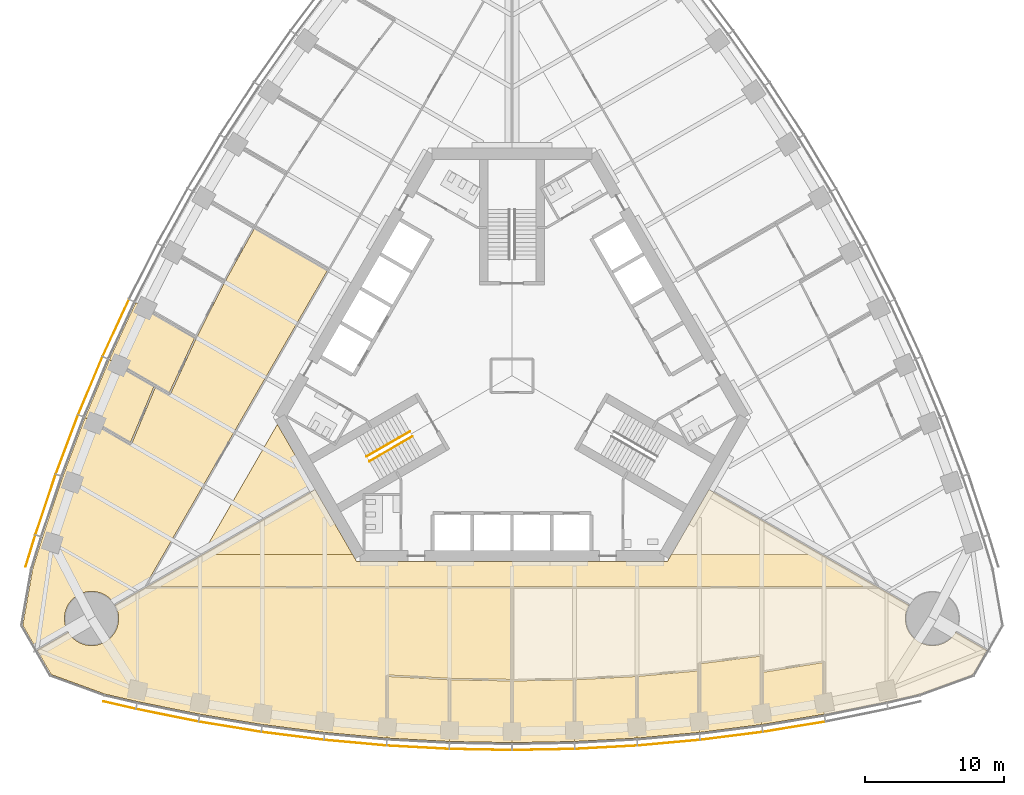
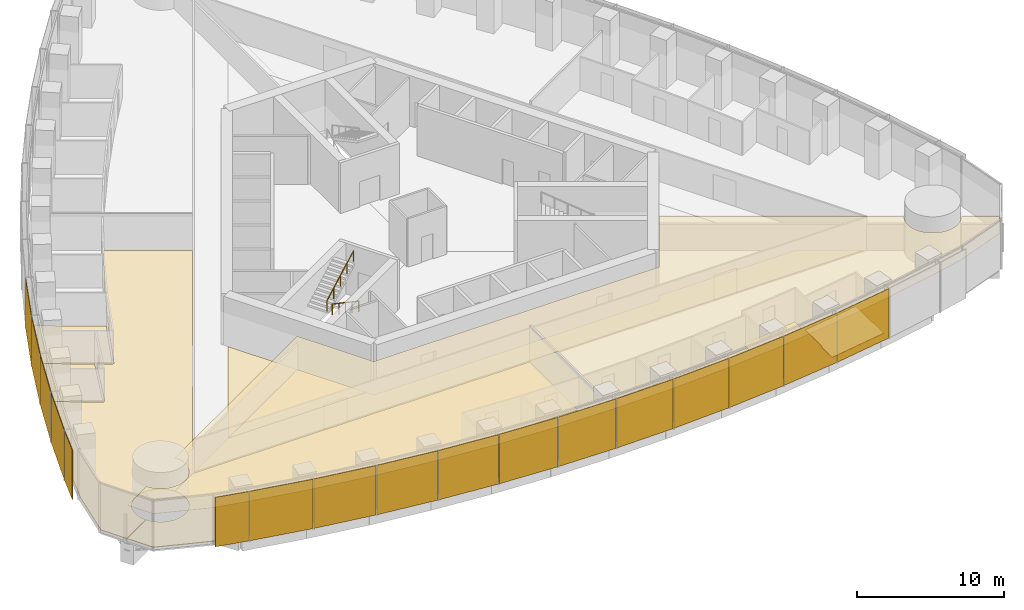
# One storey, part 15 of 19: 17 shading devices, 15 coverings, 2 railings.
"""IFC4 building model written with IfcOpenShell, lengths in metres."""

from ifc_helpers import new_model, si_unit, direction, frame, origin, origin_2d, place, context, subcontext, project, spatial, polyline, rectangle, circle, outline, extrude, material, layer, layer_set, type_object, element, save


model = new_model("IFC4")

# Units and contexts
model_context = context("Model", 3, precision=1e-05, world=origin(), true_north=direction((0.0, 1.0)))
body_context = subcontext(model_context, "Body", "Model", "MODEL_VIEW")
ifc_project = project(units=[si_unit("LENGTHUNIT", "METRE"), si_unit("AREAUNIT", "SQUARE_METRE"), si_unit("VOLUMEUNIT", "CUBIC_METRE"), si_unit("PLANEANGLEUNIT", "RADIAN"), si_unit("MASSUNIT", "GRAM", prefix="KILO")], contexts=[model_context])

# Site, building, storey
site_placement = place(None, origin())
site = spatial("IfcSite", under=ifc_project, at=site_placement, CompositionType="ELEMENT")
building_placement = place(site_placement, origin())
building = spatial("IfcBuilding", under=site, at=building_placement, Name="Trefoil Bronze Tower", CompositionType="ELEMENT")
storey_placement = place(building_placement, frame((0.0, 0.0, 132.5)))
storey = spatial("IfcBuildingStorey", under=building, at=storey_placement, Name="L30", CompositionType="ELEMENT", Elevation=132.5)

# Shading devices
ifc_material_1 = material(Name="Perforated bronze sheet", Category="bronze")
ifc_layer_1 = layer(ifc_material_1, 0.0400390625)
ifc_layer_set_1 = layer_set([ifc_layer_1], Name="Bronze solar screen panel")
shading_device_type = type_object("IfcShadingDeviceType", Name="Bronze solar screen panel", PredefinedType="SHUTTER", material=ifc_layer_set_1)
shading_device_1_placement = place(storey_placement, frame((-28.30078125, -23.748779296875, 0.050048828125), z_axis=(0.0, 0.0, 1.0), x_axis=(0.97420444715, -0.225667222151, 0.0)))
element("IfcShadingDevice", 1, at=shading_device_1_placement, inside=storey, type_object=shading_device_type, Name="Solar screen CW-A L30 F1 bay 1", PredefinedType="SHUTTER", context=body_context, shape_type="SweptSolid", body=[
    extrude(rectangle(XDim=2.39013671875, YDim=0.0400390625, at=origin_2d()), origin(), (0.0, 0.0, 1.0), 4.10009765625),
])
shading_device_2_placement = place(storey_placement, frame((-24.85693359375, -24.480224609375, 0.050048828125), z_axis=(0.0, 0.0, 1.0), x_axis=(0.980155155547, -0.198231861853, 0.0)))
element("IfcShadingDevice", 2, at=shading_device_2_placement, inside=storey, type_object=shading_device_type, Name="Solar screen CW-A L30 F1 bay 2", PredefinedType="SHUTTER", context=body_context, shape_type="SweptSolid", body=[
    extrude(rectangle(XDim=4.56103515625, YDim=0.0400390625, at=origin_2d()), origin(), (0.0, 0.0, 1.0), 4.10009765625),
])
shading_device_3_placement = place(storey_placement, frame((-20.337646484375, -25.30859375, 0.050048828125), z_axis=(0.0, 0.0, 1.0), x_axis=(0.986759655731, -0.162189339418, 0.0)))
element("IfcShadingDevice", 3, at=shading_device_3_placement, inside=storey, type_object=shading_device_type, Name="Solar screen CW-A L30 F1 bay 3", PredefinedType="SHUTTER", context=body_context, shape_type="SweptSolid", body=[
    extrude(rectangle(XDim=4.5302734375, YDim=0.0400390625, at=origin_2d()), origin(), (0.0, 0.0, 1.0), 4.10009765625),
])
shading_device_4_placement = place(storey_placement, frame((-15.818115234375, -25.96728515625, 0.050048828125), z_axis=(0.0, 0.0, 1.0), x_axis=(0.992011554286, -0.126147041833, 0.0)))
element("IfcShadingDevice", 4, at=shading_device_4_placement, inside=storey, type_object=shading_device_type, Name="Solar screen CW-A L30 F1 bay 4", PredefinedType="SHUTTER", context=body_context, shape_type="SweptSolid", body=[
    extrude(rectangle(XDim=4.50634765625, YDim=0.0400390625, at=origin_2d()), origin(), (0.0, 0.0, 1.0), 4.10009765625),
])
shading_device_5_placement = place(storey_placement, frame((-11.298583984375, -26.459228515625, 0.050048828125), z_axis=(0.0, 0.0, 1.0), x_axis=(0.995932279146, -0.090104913044, 0.0)))
element("IfcShadingDevice", 5, at=shading_device_5_placement, inside=storey, type_object=shading_device_type, Name="Solar screen CW-A L30 F1 bay 5", PredefinedType="SHUTTER", context=body_context, shape_type="SweptSolid", body=[
    extrude(rectangle(XDim=4.48828125, YDim=0.0400390625, at=origin_2d()), origin(), (0.0, 0.0, 1.0), 4.10009765625),
])
shading_device_6_placement = place(storey_placement, frame((-6.779296875, -26.785888671875, 0.050048828125), z_axis=(0.0, 0.0, 1.0), x_axis=(0.998537531923, -0.054062901701, 0.0)))
element("IfcShadingDevice", 6, at=shading_device_6_placement, inside=storey, type_object=shading_device_type, Name="Solar screen CW-A L30 F1 bay 6", PredefinedType="SHUTTER", context=body_context, shape_type="SweptSolid", body=[
    extrude(rectangle(XDim=4.4765625, YDim=0.0400390625, at=origin_2d()), origin(), (0.0, 0.0, 1.0), 4.10009765625),
])
for number, where, z_axis, x_axis, name in (
    (7, (-2.259765625, -26.948974609375, 0.050048828125), (0.0, 0.0, 1.0), (0.999837609322, -0.018020959612, 0.0), "Solar screen CW-A L30 F1 bay 7"),
    (8, (2.259765625, -26.948974609375, 0.050048828125), (0.0, 0.0, 1.0), (0.999837609322, 0.018020959612, 0.0), "Solar screen CW-A L30 F1 bay 8"),
):
    element("IfcShadingDevice", number, at=place(storey_placement, frame(where, z_axis=z_axis, x_axis=x_axis)), inside=storey, type_object=shading_device_type, Name=name, PredefinedType="SHUTTER", context=body_context, shape_type="SweptSolid", body=[
        extrude(rectangle(XDim=4.470703125, YDim=0.0400390625, at=origin_2d()), origin(), (0.0, 0.0, 1.0), 4.10009765625),
    ])
shading_device_7_placement = place(storey_placement, frame((6.779296875, -26.785888671875, 0.050048828125), z_axis=(0.0, 0.0, 1.0), x_axis=(0.998537531923, 0.054062901701, 0.0)))
element("IfcShadingDevice", 9, at=shading_device_7_placement, inside=storey, type_object=shading_device_type, Name="Solar screen CW-A L30 F1 bay 9", PredefinedType="SHUTTER", context=body_context, shape_type="SweptSolid", body=[
    extrude(rectangle(XDim=4.4765625, YDim=0.0400390625, at=origin_2d()), origin(), (0.0, 0.0, 1.0), 4.10009765625),
])
shading_device_8_placement = place(storey_placement, frame((11.298583984375, -26.459228515625, 0.050048828125), z_axis=(0.0, 0.0, 1.0), x_axis=(0.995932279146, 0.090104913044, 0.0)))
element("IfcShadingDevice", 10, at=shading_device_8_placement, inside=storey, type_object=shading_device_type, Name="Solar screen CW-A L30 F1 bay 10", PredefinedType="SHUTTER", context=body_context, shape_type="SweptSolid", body=[
    extrude(rectangle(XDim=4.48828125, YDim=0.0400390625, at=origin_2d()), origin(), (0.0, 0.0, 1.0), 4.10009765625),
])
shading_device_9_placement = place(storey_placement, frame((15.818115234375, -25.96728515625, 0.050048828125), z_axis=(0.0, 0.0, 1.0), x_axis=(0.992011554286, 0.126147041833, 0.0)))
element("IfcShadingDevice", 11, at=shading_device_9_placement, inside=storey, type_object=shading_device_type, Name="Solar screen CW-A L30 F1 bay 11", PredefinedType="SHUTTER", context=body_context, shape_type="SweptSolid", body=[
    extrude(rectangle(XDim=4.50634765625, YDim=0.0400390625, at=origin_2d()), origin(), (0.0, 0.0, 1.0), 4.10009765625),
])
shading_device_10_placement = place(storey_placement, frame((20.337646484375, -25.30859375, 0.050048828125), z_axis=(0.0, 0.0, 1.0), x_axis=(0.986759655731, 0.162189339418, 0.0)))
element("IfcShadingDevice", 12, at=shading_device_10_placement, inside=storey, type_object=shading_device_type, Name="Solar screen CW-A L30 F1 bay 12", PredefinedType="SHUTTER", context=body_context, shape_type="SweptSolid", body=[
    extrude(rectangle(XDim=4.5302734375, YDim=0.0400390625, at=origin_2d()), origin(), (0.0, 0.0, 1.0), 4.10009765625),
])
shading_device_11_placement = place(storey_placement, frame((-28.563720703125, 3.444580078125, 0.050048828125), z_axis=(0.0, 0.0, 1.0), x_axis=(-0.419932995871, -0.907555110712, 0.0)))
element("IfcShadingDevice", 13, at=shading_device_11_placement, inside=storey, type_object=shading_device_type, Name="Solar screen CW-A L30 F3 bay 10", PredefinedType="SHUTTER", context=body_context, shape_type="SweptSolid", body=[
    extrude(rectangle(XDim=4.48828125, YDim=0.0400390625, at=origin_2d()), origin(), (0.0, 0.0, 1.0), 4.10009765625),
])
shading_device_12_placement = place(storey_placement, frame((-30.3974609375, -0.715087890625, 0.050048828125), z_axis=(0.0, 0.0, 1.0), x_axis=(-0.386759234303, -0.922180727776, 0.0)))
element("IfcShadingDevice", 14, at=shading_device_12_placement, inside=storey, type_object=shading_device_type, Name="Solar screen CW-A L30 F3 bay 11", PredefinedType="SHUTTER", context=body_context, shape_type="SweptSolid", body=[
    extrude(rectangle(XDim=4.50634765625, YDim=0.0400390625, at=origin_2d()), origin(), (0.0, 0.0, 1.0), 4.10009765625),
])
shading_device_13_placement = place(storey_placement, frame((-32.086669921875, -4.95849609375, 0.050048828125), z_axis=(0.0, 0.0, 1.0), x_axis=(-0.352919739707, -0.935653599002, 0.0)))
element("IfcShadingDevice", 15, at=shading_device_13_placement, inside=storey, type_object=shading_device_type, Name="Solar screen CW-A L30 F3 bay 12", PredefinedType="SHUTTER", context=body_context, shape_type="SweptSolid", body=[
    extrude(rectangle(XDim=4.5302734375, YDim=0.0400390625, at=origin_2d()), origin(), (0.0, 0.0, 1.0), 4.10009765625),
])
shading_device_14_placement = place(storey_placement, frame((-33.62890625, -9.286865234375, 0.050048828125), z_axis=(0.0, 0.0, 1.0), x_axis=(-0.318403749569, -0.947955195281, 0.0)))
element("IfcShadingDevice", 16, at=shading_device_14_placement, inside=storey, type_object=shading_device_type, Name="Solar screen CW-A L30 F3 bay 13", PredefinedType="SHUTTER", context=body_context, shape_type="SweptSolid", body=[
    extrude(rectangle(XDim=4.56103515625, YDim=0.0400390625, at=origin_2d()), origin(), (0.0, 0.0, 1.0), 4.10009765625),
])
shading_device_15_placement = place(storey_placement, frame((-34.717529296875, -12.634765625, 0.050048828125), z_axis=(0.0, 0.0, 1.0), x_axis=(-0.291668676391, -0.956519410787, 0.0)))
element("IfcShadingDevice", 17, at=shading_device_15_placement, inside=storey, type_object=shading_device_type, Name="Solar screen CW-A L30 F3 bay 14", PredefinedType="SHUTTER", context=body_context, shape_type="SweptSolid", body=[
    extrude(rectangle(XDim=2.39013671875, YDim=0.0400390625, at=origin_2d()), origin(), (0.0, 0.0, 1.0), 4.10009765625),
])

# Railings
ifc_material_2 = material(Name="Steel handrail", Category="steel")
railing_type = type_object("IfcRailingType", Name="Handrail 900", PredefinedType="HANDRAIL", material=ifc_material_2)
railing_1_placement = place(storey_placement, frame((-7.166015625, -4.3681640625, 0.16162109375)))
element("IfcRailing", 18, at=railing_1_placement, inside=storey, type_object=railing_type, Name="Handrail ST3 flight 1 L30", PredefinedType="HANDRAIL", context=body_context, shape_type="SweptSolid", body=[
    extrude(circle(Radius=0.02392578125, at=origin_2d()), frame((0.0, 0.0, 0.8759765625), z_axis=(-0.76250339821, -0.440245697338, 0.474101564745), x_axis=(0.500012057535, -0.866018442252, 0.0)), (0.0, 0.0, 1.0), 4.088623046875),
    extrude(circle(Radius=0.02099609375, at=origin_2d()), origin(), (0.0, 0.0, 1.0), 0.851806640625),
    extrude(circle(Radius=0.02099609375, at=origin_2d()), frame((-0.779296875, -0.449951171875, 0.484619140625)), (0.0, 0.0, 1.0), 0.851806640625),
    extrude(circle(Radius=0.02099609375, at=origin_2d()), frame((-1.558837890625, -0.89990234375, 0.96923828125)), (0.0, 0.0, 1.0), 0.851806640625),
    extrude(circle(Radius=0.02099609375, at=origin_2d()), frame((-2.33837890625, -1.35009765625, 1.453857421875)), (0.0, 0.0, 1.0), 0.851806640625),
    extrude(circle(Radius=0.02099609375, at=origin_2d()), frame((-3.11767578125, -1.800048828125, 1.9384765625)), (0.0, 0.0, 1.0), 0.851806640625),
])
railing_2_placement = place(storey_placement, frame((-10.483642578125, -5.82177734375, 2.261474609375)))
element("IfcRailing", 19, at=railing_2_placement, inside=storey, type_object=railing_type, Name="Handrail ST3 flight 2 L30", PredefinedType="HANDRAIL", context=body_context, shape_type="SweptSolid", body=[
    extrude(circle(Radius=0.02392578125, at=origin_2d()), frame((0.0, 0.0, 0.8759765625), z_axis=(0.76250339821, 0.440245697338, 0.474101564745), x_axis=(-0.500012057535, 0.866018442252, 0.0)), (0.0, 0.0, 1.0), 4.088623046875),
    extrude(circle(Radius=0.02099609375, at=origin_2d()), origin(), (0.0, 0.0, 1.0), 0.851806640625),
    extrude(circle(Radius=0.02099609375, at=origin_2d()), frame((0.779296875, 0.449951171875, 0.484619140625)), (0.0, 0.0, 1.0), 0.851806640625),
    extrude(circle(Radius=0.02099609375, at=origin_2d()), frame((1.558837890625, 0.89990234375, 0.96923828125)), (0.0, 0.0, 1.0), 0.851806640625),
    extrude(circle(Radius=0.02099609375, at=origin_2d()), frame((2.33837890625, 1.35009765625, 1.453857421875)), (0.0, 0.0, 1.0), 0.851806640625),
    extrude(circle(Radius=0.02099609375, at=origin_2d()), frame((3.11767578125, 1.800048828125, 1.9384765625)), (0.0, 0.0, 1.0), 0.851806640625),
])

# Coverings
ifc_material_3 = material(Name="Acoustic ceiling panels", Category="mineral fibre")
ifc_layer_2 = layer(ifc_material_3, 0.02001953125)
ifc_layer_set_2 = layer_set([ifc_layer_2], Name="Office ceiling 20")
covering_type_1 = type_object("IfcCoveringType", Name="Office ceiling 20", PredefinedType="CEILING", material=ifc_layer_set_2)
covering_1_placement = place(storey_placement, frame((0.0, 0.0, 2.89990234375)))
element("IfcCovering", 20, at=covering_1_placement, inside=storey, type_object=covering_type_1, Name="Ceiling L30 Open-plan office F1", PredefinedType="CEILING", context=body_context, shape_type="SweptSolid", body=[
    extrude(outline(polyline([(-31.932373046875, -18.58349609375), (-31.877197265625, -18.66162109375), (-31.818359375, -18.737060546875), (-31.755615234375, -18.8095703125), (-31.689697265625, -18.87890625), (-31.620361328125, -18.94482421875), (-31.548095703125, -19.00732421875), (-31.472412109375, -19.06640625), (-31.394287109375, -19.121337890625), (-31.3134765625, -19.172607421875), (-31.22998046875, -19.2197265625), (-31.14453125, -19.2626953125), (-31.05712890625, -19.301513671875), (-30.9677734375, -19.3359375), (-30.876953125, -19.365966796875), (-30.78466796875, -19.3916015625), (-30.69140625, -19.41259765625), (-30.596923828125, -19.428955078125), (-30.501953125, -19.440673828125), (-30.406494140625, -19.44775390625), (-30.310791015625, -19.449951171875), (-30.215087890625, -19.44775390625), (-30.119873046875, -19.440673828125), (-30.02490234375, -19.428955078125), (-29.930419921875, -19.41259765625), (-29.837158203125, -19.3916015625), (-29.744873046875, -19.365966796875), (-29.654052734375, -19.3359375), (-29.564697265625, -19.301513671875), (-29.477294921875, -19.2626953125), (-29.3916015625, -19.2197265625), (-29.308349609375, -19.172607421875), (-29.2275390625, -19.121337890625), (-29.1494140625, -19.06640625), (-29.07373046875, -19.00732421875), (-29.001220703125, -18.94482421875), (-28.931884765625, -18.87890625), (-28.865966796875, -18.8095703125), (-28.803466796875, -18.737060546875), (-28.74462890625, -18.66162109375), (-28.689453125, -18.58349609375), (-28.63818359375, -18.50244140625), (-28.591064453125, -18.419189453125), (-28.548095703125, -18.333740234375), (-28.50927734375, -18.24609375), (-28.474853515625, -18.156982421875), (-28.44482421875, -18.066162109375), (-28.419189453125, -17.973876953125), (-28.3984375, -17.88037109375), (-28.382080078125, -17.7861328125), (-28.370361328125, -17.691162109375), (-28.36328125, -17.595703125), (-28.36083984375, -17.5), (-28.36328125, -17.404296875), (-28.370361328125, -17.308837890625), (-28.382080078125, -17.2138671875), (-28.3984375, -17.11962890625), (-28.419189453125, -17.026123046875), (-28.44482421875, -16.933837890625), (-28.474853515625, -16.843017578125), (-28.50927734375, -16.75390625), (-28.548095703125, -16.666259765625), (-28.591064453125, -16.580810546875), (-28.616455078125, -16.535888671875), (-14.19970703125, -8.205322265625), (-11.20068359375, -13.39990234375), (11.20068359375, -13.39990234375), (14.19970703125, -8.205322265625), (28.616455078125, -16.535888671875), (28.591064453125, -16.580810546875), (28.548095703125, -16.666259765625), (28.50927734375, -16.75390625), (28.474853515625, -16.843017578125), (28.44482421875, -16.933837890625), (28.419189453125, -17.026123046875), (28.3984375, -17.11962890625), (28.382080078125, -17.2138671875), (28.370361328125, -17.308837890625), (28.36328125, -17.404296875), (28.36083984375, -17.5), (28.36328125, -17.595703125), (28.370361328125, -17.691162109375), (28.382080078125, -17.7861328125), (28.3984375, -17.88037109375), (28.419189453125, -17.973876953125), (28.44482421875, -18.066162109375), (28.474853515625, -18.156982421875), (28.50927734375, -18.24609375), (28.548095703125, -18.333740234375), (28.591064453125, -18.419189453125), (28.63818359375, -18.50244140625), (28.689453125, -18.58349609375), (28.74462890625, -18.66162109375), (28.803466796875, -18.737060546875), (28.865966796875, -18.8095703125), (28.931884765625, -18.87890625), (29.001220703125, -18.94482421875), (29.07373046875, -19.00732421875), (29.1494140625, -19.06640625), (29.2275390625, -19.121337890625), (29.308349609375, -19.172607421875), (29.3916015625, -19.2197265625), (29.477294921875, -19.2626953125), (29.564697265625, -19.301513671875), (29.654052734375, -19.3359375), (29.744873046875, -19.365966796875), (29.837158203125, -19.3916015625), (29.930419921875, -19.41259765625), (30.02490234375, -19.428955078125), (30.119873046875, -19.440673828125), (30.215087890625, -19.44775390625), (30.310791015625, -19.449951171875), (30.406494140625, -19.44775390625), (30.501953125, -19.440673828125), (30.596923828125, -19.428955078125), (30.69140625, -19.41259765625), (30.78466796875, -19.3916015625), (30.876953125, -19.365966796875), (30.9677734375, -19.3359375), (31.05712890625, -19.301513671875), (31.14453125, -19.2626953125), (31.22998046875, -19.2197265625), (31.3134765625, -19.172607421875), (31.394287109375, -19.121337890625), (31.472412109375, -19.06640625), (31.548095703125, -19.00732421875), (31.620361328125, -18.94482421875), (31.689697265625, -18.87890625), (31.755615234375, -18.8095703125), (31.818359375, -18.737060546875), (31.877197265625, -18.66162109375), (31.932373046875, -18.58349609375), (31.992431640625, -18.48681640625), (34.233154296875, -19.781494140625), (33.21435546875, -21.5458984375), (29.357666015625, -22.94970703125), (27.0, -23.495849609375), (22.5, -24.406005859375), (18.0, -25.1455078125), (13.5, -25.7177734375), (9.0, -26.125), (4.5, -26.36865234375), (0.0, -26.44970703125), (-4.5, -26.36865234375), (-9.0, -26.125), (-13.5, -25.7177734375), (-18.0, -25.1455078125), (-22.5, -24.406005859375), (-27.0, -23.495849609375), (-29.357666015625, -22.94970703125), (-33.21435546875, -21.5458984375), (-34.233154296875, -19.781494140625), (-31.992431640625, -18.48681640625), (-31.932373046875, -18.58349609375)])), origin(), (0.0, 0.0, 1.0), 0.02001953125),
])
ifc_material_4 = material(Name="Raised access floor panels", Category="steel")
ifc_layer_3 = layer(ifc_material_4, 0.050048828125)
ifc_layer_set_3 = layer_set([ifc_layer_3], Name="Raised access floor 150")
covering_type_2 = type_object("IfcCoveringType", Name="Raised access floor 150", PredefinedType="FLOORING", material=ifc_layer_set_3)
covering_2_placement = place(storey_placement, frame((0.0, 0.0, 0.10009765625)))
element("IfcCovering", 21, at=covering_2_placement, inside=storey, type_object=covering_type_2, Name="Raised floor L30 Project room F1", PredefinedType="FLOORING", context=body_context, shape_type="SweptSolid", body=[
    extrude(outline(polyline([(-4.5, -26.36865234375), (-9.0, -26.125), (-9.0, -24.64111328125), (-8.93994140625, -24.64111328125), (-8.93994140625, -21.688232421875), (-4.56005859375, -21.92529296875), (-4.56005859375, -24.8876953125), (-4.5, -24.8876953125), (-4.5, -26.36865234375)])), origin(), (0.0, 0.0, 1.0), 0.0498046875),
])
covering_3_placement = place(storey_placement, frame((0.0, 0.0, 0.10009765625)))
element("IfcCovering", 22, at=covering_3_placement, inside=storey, type_object=covering_type_2, Name="Raised floor L30 Project room F1", PredefinedType="FLOORING", context=body_context, shape_type="SweptSolid", body=[
    extrude(outline(polyline([(0.0, -26.44970703125), (-4.5, -26.36865234375), (-4.5, -24.8876953125), (-4.43994140625, -24.8876953125), (-4.43994140625, -21.9296875), (-0.074951171875, -22.00830078125), (-0.074951171875, -24.9697265625), (0.0, -24.9697265625), (0.0, -26.44970703125)])), origin(), (0.0, 0.0, 1.0), 0.0498046875),
])
covering_4_placement = place(storey_placement, frame((0.0, 0.0, 0.10009765625)))
element("IfcCovering", 23, at=covering_4_placement, inside=storey, type_object=covering_type_2, Name="Raised floor L30 Project room F1", PredefinedType="FLOORING", context=body_context, shape_type="SweptSolid", body=[
    extrude(outline(polyline([(4.5, -26.36865234375), (0.0, -26.44970703125), (0.0, -24.9697265625), (0.074951171875, -24.9697265625), (0.074951171875, -22.00830078125), (4.43994140625, -21.9296875), (4.43994140625, -24.8876953125), (4.5, -24.8876953125), (4.5, -26.36865234375)])), origin(), (0.0, 0.0, 1.0), 0.0498046875),
])
covering_5_placement = place(storey_placement, frame((0.0, 0.0, 0.10009765625)))
element("IfcCovering", 24, at=covering_5_placement, inside=storey, type_object=covering_type_2, Name="Raised floor L30 Project room F1", PredefinedType="FLOORING", context=body_context, shape_type="SweptSolid", body=[
    extrude(outline(polyline([(9.0, -26.125), (4.5, -26.36865234375), (4.5, -24.8876953125), (4.56005859375, -24.8876953125), (4.56005859375, -21.92529296875), (8.93994140625, -21.688232421875), (8.93994140625, -24.64111328125), (9.0, -24.64111328125), (9.0, -26.125)])), origin(), (0.0, 0.0, 1.0), 0.0498046875),
])
covering_6_placement = place(storey_placement, frame((0.0, 0.0, 0.10009765625)))
element("IfcCovering", 25, at=covering_6_placement, inside=storey, type_object=covering_type_2, Name="Raised floor L30 Project room F1", PredefinedType="FLOORING", context=body_context, shape_type="SweptSolid", body=[
    extrude(outline(polyline([(13.5, -25.7177734375), (9.0, -26.125), (9.0, -24.64111328125), (9.06005859375, -24.64111328125), (9.06005859375, -21.6796875), (13.43994140625, -21.283447265625), (13.43994140625, -24.22900390625), (13.5, -24.22900390625), (13.5, -25.7177734375)])), origin(), (0.0, 0.0, 1.0), 0.0498046875),
])
covering_7_placement = place(storey_placement, frame((0.0, 0.0, 0.10009765625)))
element("IfcCovering", 26, at=covering_7_placement, inside=storey, type_object=covering_type_2, Name="Raised floor L30 Meeting room F1", PredefinedType="FLOORING", context=body_context, shape_type="SweptSolid", body=[
    extrude(outline(polyline([(18.0, -25.1455078125), (13.5, -25.7177734375), (13.5, -24.22900390625), (13.56005859375, -24.22900390625), (13.56005859375, -20.770751953125), (17.93994140625, -20.213623046875), (17.93994140625, -23.64990234375), (18.0, -23.64990234375), (18.0, -25.1455078125)])), origin(), (0.0, 0.0, 1.0), 0.0498046875),
])
covering_8_placement = place(storey_placement, frame((0.0, 0.0, 0.10009765625)))
element("IfcCovering", 27, at=covering_8_placement, inside=storey, type_object=covering_type_2, Name="Raised floor L30 Pantry F1", PredefinedType="FLOORING", context=body_context, shape_type="SweptSolid", body=[
    extrude(outline(polyline([(22.5, -24.406005859375), (18.0, -25.1455078125), (18.0, -23.64990234375), (18.06005859375, -23.64990234375), (18.06005859375, -21.396484375), (22.43994140625, -20.676513671875), (22.43994140625, -22.9013671875), (22.5, -22.9013671875), (22.5, -24.406005859375)])), origin(), (0.0, 0.0, 1.0), 0.0498046875),
])
covering_9_placement = place(storey_placement, frame((0.0, 0.0, 0.10009765625)))
element("IfcCovering", 28, at=covering_9_placement, inside=storey, type_object=covering_type_2, Name="Raised floor L30 Corridor F1", PredefinedType="FLOORING", context=body_context, shape_type="SweptSolid", body=[
    extrude(outline(polyline([(-26.304443359375, -15.199951171875), (-22.32421875, -12.89990234375), (-11.4892578125, -12.89990234375), (-11.20068359375, -13.39990234375), (11.20068359375, -13.39990234375), (11.4892578125, -12.89990234375), (22.32421875, -12.89990234375), (26.304443359375, -15.199951171875), (-26.304443359375, -15.199951171875)])), origin(), (0.0, 0.0, 1.0), 0.0498046875),
])
covering_10_placement = place(storey_placement, frame((0.0, 0.0, 0.10009765625)))
element("IfcCovering", 29, at=covering_10_placement, inside=storey, type_object=covering_type_2, Name="Raised floor L30 Open-plan office F1", PredefinedType="FLOORING", context=body_context, shape_type="SweptSolid", body=[
    extrude(outline(polyline([(-28.50927734375, -16.75390625), (-28.548095703125, -16.666259765625), (-28.591064453125, -16.580810546875), (-28.616455078125, -16.535888671875), (-26.398193359375, -15.254150390625), (-26.398193359375, -15.320068359375), (-0.074951171875, -15.320068359375), (-0.074951171875, -21.88818359375), (-4.497802734375, -21.80859375), (-8.996826171875, -21.56494140625), (-9.0, -21.625), (-9.06005859375, -21.625), (-9.06005859375, -24.64111328125), (-9.0, -24.64111328125), (-9.0, -26.125), (-13.5, -25.7177734375), (-18.0, -25.1455078125), (-22.5, -24.406005859375), (-27.0, -23.495849609375), (-29.357666015625, -22.94970703125), (-33.21435546875, -21.5458984375), (-34.233154296875, -19.781494140625), (-31.992431640625, -18.48681640625), (-31.932373046875, -18.58349609375), (-31.877197265625, -18.66162109375), (-31.818359375, -18.737060546875), (-31.755615234375, -18.8095703125), (-31.689697265625, -18.87890625), (-31.620361328125, -18.94482421875), (-31.548095703125, -19.00732421875), (-31.472412109375, -19.06640625), (-31.394287109375, -19.121337890625), (-31.3134765625, -19.172607421875), (-31.22998046875, -19.2197265625), (-31.14453125, -19.2626953125), (-31.05712890625, -19.301513671875), (-30.9677734375, -19.3359375), (-30.876953125, -19.365966796875), (-30.78466796875, -19.3916015625), (-30.69140625, -19.41259765625), (-30.596923828125, -19.428955078125), (-30.501953125, -19.440673828125), (-30.406494140625, -19.44775390625), (-30.310791015625, -19.449951171875), (-30.215087890625, -19.44775390625), (-30.119873046875, -19.440673828125), (-30.02490234375, -19.428955078125), (-29.930419921875, -19.41259765625), (-29.837158203125, -19.3916015625), (-29.744873046875, -19.365966796875), (-29.654052734375, -19.3359375), (-29.564697265625, -19.301513671875), (-29.477294921875, -19.2626953125), (-29.3916015625, -19.2197265625), (-29.308349609375, -19.172607421875), (-29.2275390625, -19.121337890625), (-29.1494140625, -19.06640625), (-29.07373046875, -19.00732421875), (-29.001220703125, -18.94482421875), (-28.931884765625, -18.87890625), (-28.865966796875, -18.8095703125), (-28.803466796875, -18.737060546875), (-28.74462890625, -18.66162109375), (-28.689453125, -18.58349609375), (-28.63818359375, -18.50244140625), (-28.591064453125, -18.419189453125), (-28.548095703125, -18.333740234375), (-28.50927734375, -18.24609375), (-28.474853515625, -18.156982421875), (-28.44482421875, -18.066162109375), (-28.419189453125, -17.973876953125), (-28.3984375, -17.88037109375), (-28.382080078125, -17.7861328125), (-28.370361328125, -17.691162109375), (-28.36328125, -17.595703125), (-28.36083984375, -17.5), (-28.36328125, -17.404296875), (-28.370361328125, -17.308837890625), (-28.382080078125, -17.2138671875), (-28.3984375, -17.11962890625), (-28.419189453125, -17.026123046875), (-28.44482421875, -16.933837890625), (-28.474853515625, -16.843017578125), (-28.50927734375, -16.75390625)])), origin(), (0.0, 0.0, 1.0), 0.0498046875),
])
covering_11_placement = place(storey_placement, frame((0.0, 0.0, 0.10009765625)))
element("IfcCovering", 30, at=covering_11_placement, inside=storey, type_object=covering_type_2, Name="Raised floor L30 Open-plan office F1", PredefinedType="FLOORING", context=body_context, shape_type="SweptSolid", body=[
    extrude(outline(polyline([(-22.32421875, -12.89990234375), (-14.19970703125, -8.205322265625), (-11.4892578125, -12.89990234375), (-22.32421875, -12.89990234375)])), origin(), (0.0, 0.0, 1.0), 0.0498046875),
])
covering_12_placement = place(storey_placement, frame((0.0, 0.0, 0.10009765625)))
element("IfcCovering", 31, at=covering_12_placement, inside=storey, type_object=covering_type_2, Name="Raised floor L30 Meeting room F3", PredefinedType="FLOORING", context=body_context, shape_type="SweptSolid", body=[
    extrude(outline(polyline([(-29.022216796875, 1.16748046875), (-27.124755859375, 5.268310546875), (-25.83984375, 4.5263671875), (-25.869873046875, 4.474365234375), (-22.872314453125, 2.74365234375), (-24.718994140625, -1.24755859375), (-27.702880859375, 0.47509765625), (-27.73291015625, 0.423095703125), (-29.022216796875, 1.16748046875)])), origin(), (0.0, 0.0, 1.0), 0.0498046875),
])
covering_13_placement = place(storey_placement, frame((0.0, 0.0, 0.10009765625)))
element("IfcCovering", 32, at=covering_13_placement, inside=storey, type_object=covering_type_2, Name="Raised floor L30 Pantry F3", PredefinedType="FLOORING", context=body_context, shape_type="SweptSolid", body=[
    extrude(outline(polyline([(-30.776611328125, -3.015625), (-29.022216796875, 1.16748046875), (-27.73291015625, 0.423095703125), (-27.762939453125, 0.371337890625), (-25.80712890625, -0.758056640625), (-27.514892578125, -4.82958984375), (-29.451416015625, -3.71142578125), (-29.4814453125, -3.763427734375), (-30.776611328125, -3.015625)])), origin(), (0.0, 0.0, 1.0), 0.0498046875),
])
covering_14_placement = place(storey_placement, frame((0.0, 0.0, 0.10009765625)))
element("IfcCovering", 33, at=covering_14_placement, inside=storey, type_object=covering_type_2, Name="Raised floor L30 Open-plan office F3", PredefinedType="FLOORING", context=body_context, shape_type="SweptSolid", body=[
    extrude(outline(polyline([(-35.2666015625, -17.99169921875), (-34.5537109375, -13.94970703125), (-33.847900390625, -11.634765625), (-32.385986328125, -7.28271484375), (-30.776611328125, -3.015625), (-29.4814453125, -3.763427734375), (-29.511474609375, -3.8154296875), (-27.515869140625, -4.967529296875), (-27.48583984375, -4.915771484375), (-27.430419921875, -4.93896484375), (-25.702392578125, -0.818603515625), (-24.72216796875, -1.384521484375), (-24.692138671875, -1.33251953125), (-24.6376953125, -1.357666015625), (-22.74072265625, 2.7421875), (-20.70263671875, 6.759033203125), (-18.560302734375, 10.629150390625), (-13.304931640625, 7.594970703125), (-26.466552734375, -15.201416015625), (-26.40966796875, -15.234375), (-28.628662109375, -16.514404296875), (-28.689453125, -16.41650390625), (-28.74462890625, -16.33837890625), (-28.803466796875, -16.262939453125), (-28.865966796875, -16.1904296875), (-28.931884765625, -16.12109375), (-29.001220703125, -16.05517578125), (-29.07373046875, -15.99267578125), (-29.1494140625, -15.93359375), (-29.2275390625, -15.878662109375), (-29.308349609375, -15.827392578125), (-29.3916015625, -15.7802734375), (-29.477294921875, -15.7373046875), (-29.564697265625, -15.698486328125), (-29.654052734375, -15.6640625), (-29.744873046875, -15.634033203125), (-29.837158203125, -15.6083984375), (-29.930419921875, -15.58740234375), (-30.02490234375, -15.571044921875), (-30.119873046875, -15.559326171875), (-30.215087890625, -15.55224609375), (-30.310791015625, -15.550048828125), (-30.406494140625, -15.55224609375), (-30.501953125, -15.559326171875), (-30.596923828125, -15.571044921875), (-30.69140625, -15.58740234375), (-30.78466796875, -15.6083984375), (-30.876953125, -15.634033203125), (-30.9677734375, -15.6640625), (-31.05712890625, -15.698486328125), (-31.14453125, -15.7373046875), (-31.22998046875, -15.7802734375), (-31.3134765625, -15.827392578125), (-31.394287109375, -15.878662109375), (-31.472412109375, -15.93359375), (-31.548095703125, -15.99267578125), (-31.620361328125, -16.05517578125), (-31.689697265625, -16.12109375), (-31.755615234375, -16.1904296875), (-31.818359375, -16.262939453125), (-31.877197265625, -16.33837890625), (-31.932373046875, -16.41650390625), (-31.9833984375, -16.49755859375), (-32.030517578125, -16.580810546875), (-32.07373046875, -16.666259765625), (-32.112548828125, -16.75390625), (-32.14697265625, -16.843017578125), (-32.177001953125, -16.933837890625), (-32.202392578125, -17.026123046875), (-32.223388671875, -17.11962890625), (-32.23974609375, -17.2138671875), (-32.25146484375, -17.308837890625), (-32.258544921875, -17.404296875), (-32.260986328125, -17.5), (-32.258544921875, -17.595703125), (-32.25146484375, -17.691162109375), (-32.23974609375, -17.7861328125), (-32.223388671875, -17.88037109375), (-32.202392578125, -17.973876953125), (-32.177001953125, -18.066162109375), (-32.14697265625, -18.156982421875), (-32.112548828125, -18.24609375), (-32.07373046875, -18.333740234375), (-32.030517578125, -18.419189453125), (-32.006103515625, -18.462646484375), (-34.247802734375, -19.755859375), (-35.2666015625, -17.99169921875)])), origin(), (0.0, 0.0, 1.0), 0.0498046875),
])
covering_15_placement = place(storey_placement, frame((0.0, 0.0, 0.10009765625)))
element("IfcCovering", 34, at=covering_15_placement, inside=storey, type_object=covering_type_2, Name="Raised floor L30 Open-plan office F3", PredefinedType="FLOORING", context=body_context, shape_type="SweptSolid", body=[
    extrude(outline(polyline([(-14.205810546875, -8.194580078125), (-22.333740234375, -12.88330078125), (-16.91650390625, -3.5), (-14.205810546875, -8.194580078125)])), origin(), (0.0, 0.0, 1.0), 0.0498046875),
])

save(model, "model.ifc")
